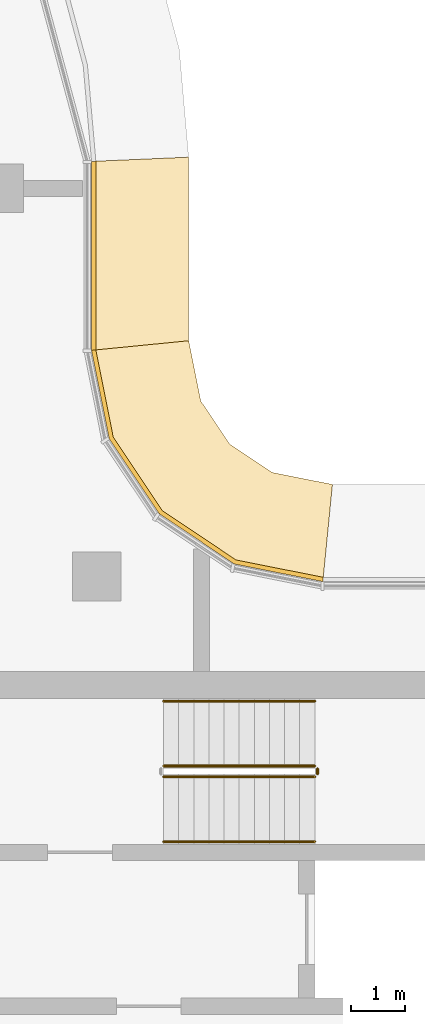
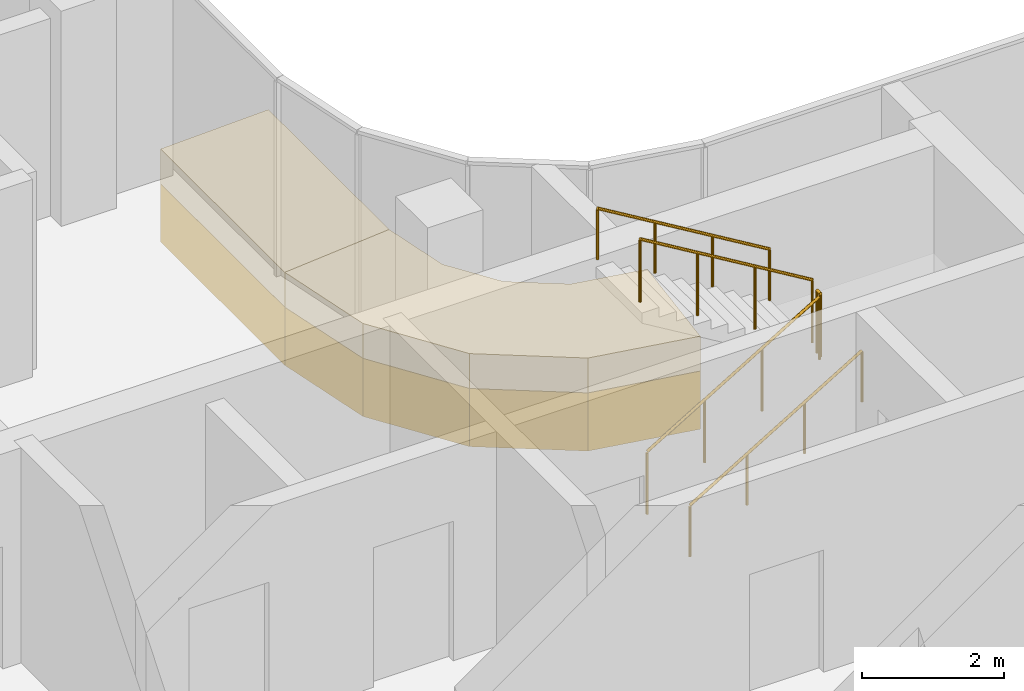
# One storey, part 17 of 20: 5 railings, 4 coverings.
"""IFC4 building model written with IfcOpenShell, lengths in metres."""

from ifc_helpers import new_model, si_unit, direction, frame, origin, origin_2d, place, context, subcontext, project, spatial, polyline, circle, outline, extrude, material, layer, layer_set, type_object, element, save


model = new_model("IFC4")

# Units and contexts
model_context = context("Model", 3, precision=1e-05, world=origin(), true_north=direction((0.0, 1.0)))
body_context = subcontext(model_context, "Body", "Model", "MODEL_VIEW")
ifc_project = project(units=[si_unit("LENGTHUNIT", "METRE"), si_unit("AREAUNIT", "SQUARE_METRE"), si_unit("VOLUMEUNIT", "CUBIC_METRE"), si_unit("PLANEANGLEUNIT", "RADIAN"), si_unit("MASSUNIT", "GRAM", prefix="KILO")], contexts=[model_context])

# Site, building, storey
site_placement = place(None, origin())
site = spatial("IfcSite", under=ifc_project, at=site_placement, CompositionType="ELEMENT")
building_placement = place(site_placement, origin())
building = spatial("IfcBuilding", under=site, at=building_placement, Name="Ogive Portal Towers", CompositionType="ELEMENT")
storey_placement = place(building_placement, frame((0.0, 0.0, 195.800048828125)))
storey = spatial("IfcBuildingStorey", under=building, at=storey_placement, Name="L48", CompositionType="ELEMENT", Elevation=195.800048828125)

# Railings
ifc_material_1 = material(Name="Stainless steel balustrade", Category="steel")
railing_type_1 = type_object("IfcRailingType", Name="INT-GUARD", PredefinedType="GUARDRAIL", material=ifc_material_1)
railing_1_placement = place(storey_placement, frame((52.550048828125, 37.60009765625, 0.168212890625)))
element("IfcRailing", 1, at=railing_1_placement, inside=storey, type_object=railing_type_1, Name="L48 ST-A2 stair guard 1", PredefinedType="GUARDRAIL", context=body_context, shape_type="SweptSolid", body=[
    extrude(circle(Radius=0.02392578125, at=origin_2d()), frame((0.0, 0.0, 1.076171875), z_axis=(0.857275202839, 0.0, 0.514858452973), x_axis=(0.0, 1.0, 0.0)), (0.0, 0.0, 1.0), 3.26611328125),
    extrude(circle(Radius=0.02099609375, at=origin_2d()), origin(), (0.0, 0.0, 1.0), 1.052001953125),
    extrude(circle(Radius=0.02099609375, at=origin_2d()), frame((0.933349609375, 0.0, 0.560546875)), (0.0, 0.0, 1.0), 1.052001953125),
    extrude(circle(Radius=0.02099609375, at=origin_2d()), frame((1.86669921875, 0.0, 1.12109375)), (0.0, 0.0, 1.0), 1.052001953125),
    extrude(circle(Radius=0.02099609375, at=origin_2d()), frame((2.800048828125, 0.0, 1.681640625)), (0.0, 0.0, 1.0), 1.052001953125),
])
railing_2_placement = place(storey_placement, frame((55.39990234375, 37.64990234375, 1.849853515625)))
element("IfcRailing", 2, at=railing_2_placement, inside=storey, type_object=railing_type_1, Name="L48 ST-A2 stair guard 2", PredefinedType="GUARDRAIL", context=body_context, shape_type="SweptSolid", body=[
    extrude(circle(Radius=0.02392578125, at=origin_2d()), frame((0.0, 0.0, 1.076171875), z_axis=(0.0, 1.0, 0.0), x_axis=(-1.0, 0.0, 0.0)), (0.0, 0.0, 1.0), 0.10009765625),
    extrude(circle(Radius=0.02099609375, at=origin_2d()), origin(), (0.0, 0.0, 1.0), 1.052001953125),
    extrude(circle(Radius=0.02099609375, at=origin_2d()), frame((0.0, 0.10009765625, 0.0)), (0.0, 0.0, 1.0), 1.052001953125),
])
railing_3_placement = place(storey_placement, frame((55.35009765625, 37.800048828125, 2.01806640625)))
element("IfcRailing", 3, at=railing_3_placement, inside=storey, type_object=railing_type_1, Name="L48 ST-A2 stair guard 3", PredefinedType="GUARDRAIL", context=body_context, shape_type="SweptSolid", body=[
    extrude(circle(Radius=0.02392578125, at=origin_2d()), frame((0.0, 0.0, 1.076171875), z_axis=(-0.857242210791, 0.0, 0.514913383045), x_axis=(0.0, -1.0, 0.0)), (0.0, 0.0, 1.0), 3.266357421875),
    extrude(circle(Radius=0.02099609375, at=origin_2d()), origin(), (0.0, 0.0, 1.0), 1.052001953125),
    extrude(circle(Radius=0.02099609375, at=origin_2d()), frame((-0.933349609375, 0.0, 0.560546875)), (0.0, 0.0, 1.0), 1.052001953125),
    extrude(circle(Radius=0.02099609375, at=origin_2d()), frame((-1.86669921875, 0.0, 1.121337890625)), (0.0, 0.0, 1.0), 1.052001953125),
    extrude(circle(Radius=0.02099609375, at=origin_2d()), frame((-2.800048828125, 0.0, 1.681884765625)), (0.0, 0.0, 1.0), 1.052001953125),
])
ifc_material_2 = material(Name="Stainless steel handrail", Category="steel")
railing_type_2 = type_object("IfcRailingType", Name="INT-HANDRAIL", PredefinedType="HANDRAIL", material=ifc_material_2)
railing_4_placement = place(storey_placement, frame((52.550048828125, 36.39990234375, 0.168212890625)))
element("IfcRailing", 4, at=railing_4_placement, inside=storey, type_object=railing_type_2, Name="L48 ST-A2 stair handrail 1", PredefinedType="HANDRAIL", context=body_context, shape_type="SweptSolid", body=[
    extrude(circle(Radius=0.02392578125, at=origin_2d()), frame((0.0, 0.0, 0.8759765625), z_axis=(0.857275202839, 0.0, 0.514858452973), x_axis=(0.0, 1.0, 0.0)), (0.0, 0.0, 1.0), 3.26611328125),
    extrude(circle(Radius=0.02099609375, at=origin_2d()), origin(), (0.0, 0.0, 1.0), 0.851806640625),
    extrude(circle(Radius=0.02099609375, at=origin_2d()), frame((0.933349609375, 0.0, 0.560546875)), (0.0, 0.0, 1.0), 0.851806640625),
    extrude(circle(Radius=0.02099609375, at=origin_2d()), frame((1.86669921875, 0.0, 1.12109375)), (0.0, 0.0, 1.0), 0.851806640625),
    extrude(circle(Radius=0.02099609375, at=origin_2d()), frame((2.800048828125, 0.0, 1.681640625)), (0.0, 0.0, 1.0), 0.851806640625),
])
railing_5_placement = place(storey_placement, frame((55.35009765625, 39.0, 2.01806640625)))
element("IfcRailing", 5, at=railing_5_placement, inside=storey, type_object=railing_type_2, Name="L48 ST-A2 stair handrail 2", PredefinedType="HANDRAIL", context=body_context, shape_type="SweptSolid", body=[
    extrude(circle(Radius=0.02392578125, at=origin_2d()), frame((0.0, 0.0, 0.8759765625), z_axis=(-0.857242210791, 0.0, 0.514913383045), x_axis=(0.0, -1.0, 0.0)), (0.0, 0.0, 1.0), 3.266357421875),
    extrude(circle(Radius=0.02099609375, at=origin_2d()), origin(), (0.0, 0.0, 1.0), 0.851806640625),
    extrude(circle(Radius=0.02099609375, at=origin_2d()), frame((-0.933349609375, 0.0, 0.560546875)), (0.0, 0.0, 1.0), 0.851806640625),
    extrude(circle(Radius=0.02099609375, at=origin_2d()), frame((-1.86669921875, 0.0, 1.121337890625)), (0.0, 0.0, 1.0), 0.851806640625),
    extrude(circle(Radius=0.02099609375, at=origin_2d()), frame((-2.800048828125, 0.0, 1.681884765625)), (0.0, 0.0, 1.0), 0.851806640625),
])

# Coverings
ifc_material_3 = material(Name="Limestone cladding on lightweight block wall", Category="masonry")
ifc_layer_1 = layer(ifc_material_3, 0.080078125)
ifc_layer_set_1 = layer_set([ifc_layer_1], Name="STONE SPANDREL 80")
covering_type_1 = type_object("IfcCoveringType", Name="STONE SPANDREL 80", PredefinedType="CLADDING", material=ifc_layer_set_1)
covering_1_placement = place(storey_placement, frame((0.0, 0.0, -1.60009765625)))
element("IfcCovering", 6, at=covering_1_placement, inside=storey, type_object=covering_type_1, Name="Stone spandrel A1-F10", PredefinedType="CLADDING", context=body_context, shape_type="SweptSolid", body=[
    extrude(outline(polyline([(55.5, 41.215087890625), (53.860107421875, 41.541259765625), (52.469970703125, 42.469970703125), (51.541259765625, 43.860107421875), (51.215087890625, 45.5), (51.294921875, 45.5078125), (51.616455078125, 43.891357421875), (52.52783203125, 42.52783203125), (53.891357421875, 41.616455078125), (55.5078125, 41.294921875), (55.5, 41.215087890625)])), origin(), (0.0, 0.0, 1.0), 1.0),
])
covering_2_placement = place(storey_placement, frame((0.0, 0.0, -1.60009765625)))
element("IfcCovering", 7, at=covering_2_placement, inside=storey, type_object=covering_type_1, Name="Stone spandrel A1-F11", PredefinedType="CLADDING", context=body_context, shape_type="SweptSolid", body=[
    extrude(outline(polyline([(51.215087890625, 45.5), (51.215087890625, 49.0), (51.294921875, 49.00341796875), (51.294921875, 45.5078125), (51.215087890625, 45.5)])), origin(), (0.0, 0.0, 1.0), 1.0),
])
ifc_layer_2 = layer(ifc_material_3, 0.60009765625)
ifc_layer_set_2 = layer_set([ifc_layer_2], Name="SUNSHADE LIP 600")
covering_type_2 = type_object("IfcCoveringType", Name="SUNSHADE LIP 600", PredefinedType="CLADDING", material=ifc_layer_set_2)
covering_3_placement = place(storey_placement, frame((0.0, 0.0, -0.60009765625)))
element("IfcCovering", 8, at=covering_3_placement, inside=storey, type_object=covering_type_2, Name="Sunshade lip A1-F10", PredefinedType="CLADDING", context=body_context, shape_type="SweptSolid", body=[
    extrude(outline(polyline([(55.5, 41.215087890625), (53.860107421875, 41.541259765625), (52.469970703125, 42.469970703125), (51.541259765625, 43.860107421875), (51.215087890625, 45.5), (53.014892578125, 45.67724609375), (53.23681640625, 44.5625), (53.767822265625, 43.767822265625), (54.5625, 43.23681640625), (55.67724609375, 43.014892578125), (55.5, 41.215087890625)])), origin(), (0.0, 0.0, 1.0), 0.60009765625),
])
covering_4_placement = place(storey_placement, frame((0.0, 0.0, -0.60009765625)))
element("IfcCovering", 9, at=covering_4_placement, inside=storey, type_object=covering_type_2, Name="Sunshade lip A1-F11", PredefinedType="CLADDING", context=body_context, shape_type="SweptSolid", body=[
    extrude(outline(polyline([(51.215087890625, 45.5), (51.215087890625, 49.0), (53.014892578125, 49.07861328125), (53.014892578125, 45.67724609375), (51.215087890625, 45.5)])), origin(), (0.0, 0.0, 1.0), 0.60009765625),
])

save(model, "model.ifc")
